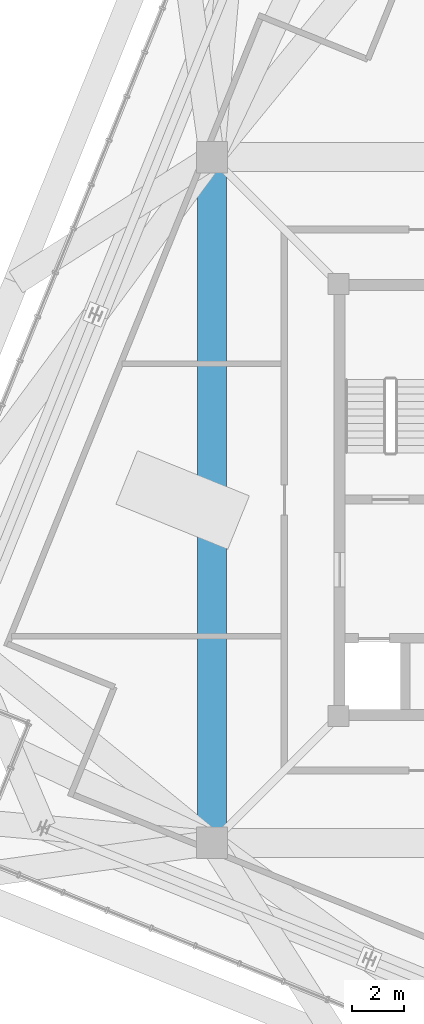
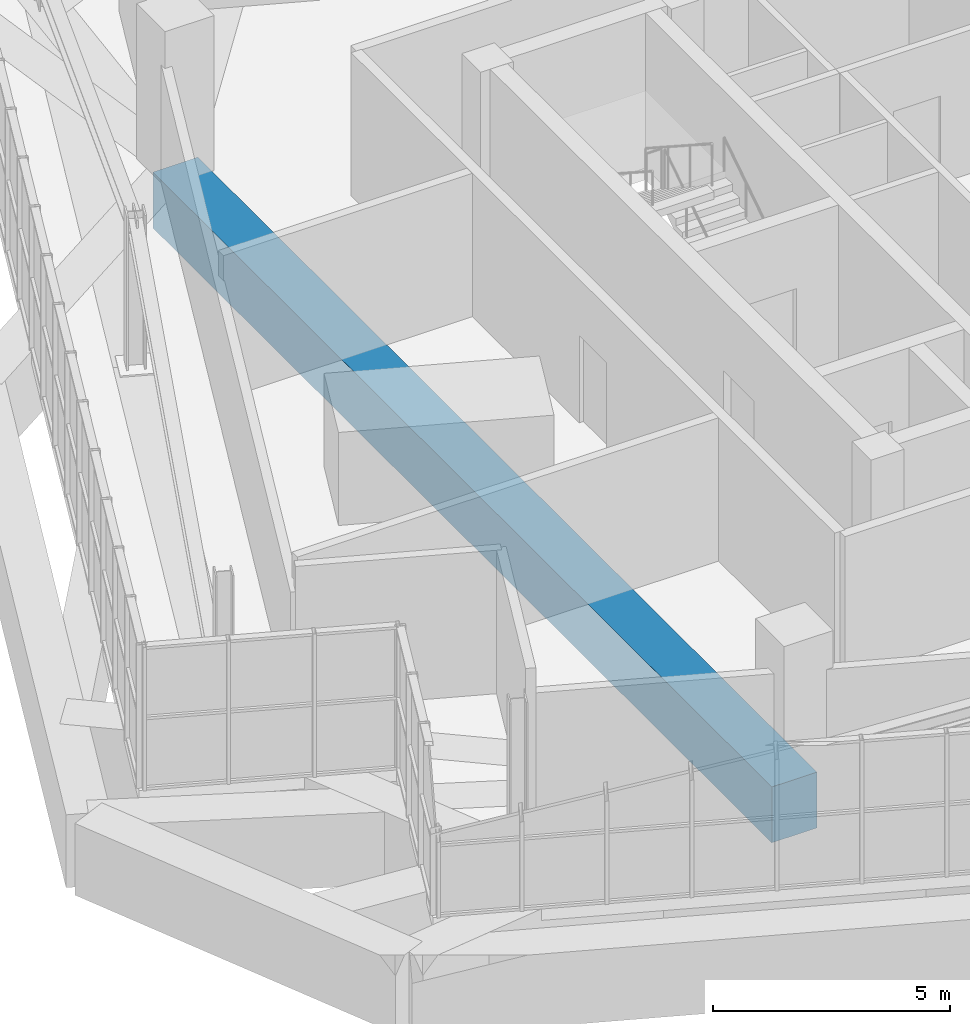
# One storey, part 12 of 35: 1 beam.
"""IFC4 building model written with IfcOpenShell, lengths in metres."""

from ifc_helpers import new_model, si_unit, direction, frame, origin, origin_2d, place, context, subcontext, project, spatial, rectangle, extrude, source, transform, mapped, material, material_profile, profile_set, type_object, element, save


model = new_model("IFC4")

# Units and contexts
model_context = context("Model", 3, precision=1e-05, world=origin(), true_north=direction((0.0, 1.0)))
body_context = subcontext(model_context, "Body", "Model", "MODEL_VIEW")
ifc_project = project(units=[si_unit("LENGTHUNIT", "METRE"), si_unit("AREAUNIT", "SQUARE_METRE"), si_unit("VOLUMEUNIT", "CUBIC_METRE"), si_unit("PLANEANGLEUNIT", "RADIAN"), si_unit("MASSUNIT", "GRAM", prefix="KILO"), si_unit("THERMODYNAMICTEMPERATUREUNIT", "KELVIN")], contexts=[model_context])

# Site, building, storey
site_placement = place(None, origin())
site = spatial("IfcSite", under=ifc_project, at=site_placement, CompositionType="ELEMENT")
building_placement = place(site_placement, origin())
building = spatial("IfcBuilding", under=site, at=building_placement, Name="Kosmvard Interchange Tower", CompositionType="ELEMENT")
storey_placement = place(building_placement, frame((0.0, 0.0, 321.60009765625)))
storey = spatial("IfcBuildingStorey", under=building, at=storey_placement, Name="L79", CompositionType="ELEMENT", Elevation=321.60009765625)

# Beam
ifc_material = material(Name="Concrete C70/85", Category="concrete")
ifc_material_profile = material_profile(ifc_material, rectangle(XDim=1.10009765625, YDim=1.43994140625, at=origin_2d()), Name="TG 1100x1440")
ifc_profile_set = profile_set([ifc_material_profile], Name="Concrete C70/85")
beam_type = type_object("IfcBeamType", Name="Mega-Frame Transfer Ring Girder 1100x1440 C70/85", PredefinedType="USERDEFINED", material=ifc_profile_set)
shared_shape = source(origin(), body_context, "Body", "SweptSolid", [
    extrude(rectangle(XDim=1.10009765625, YDim=1.43994140625, at=origin_2d()), origin(), (0.0, 0.0, 1.0), 26.162109375),
])
beam_placement = place(storey_placement, frame((-13.0810546875, 13.0810546875, -0.72021484375), z_axis=(0.0, -1.0, 0.0), x_axis=(1.0, 0.0, 0.0)))
element("IfcBeam", 1, at=beam_placement, inside=storey, type_object=beam_type, Name="L79 Mega-Column Ring Girder 4", ObjectType="TRANSFER_GIRDER", PredefinedType="USERDEFINED", context=body_context, shape_type="MappedRepresentation", body=[
    mapped(shared_shape, transform((0.0, 0.0, 0.0), scale=1.0)),
])

save(model, "model.ifc")
